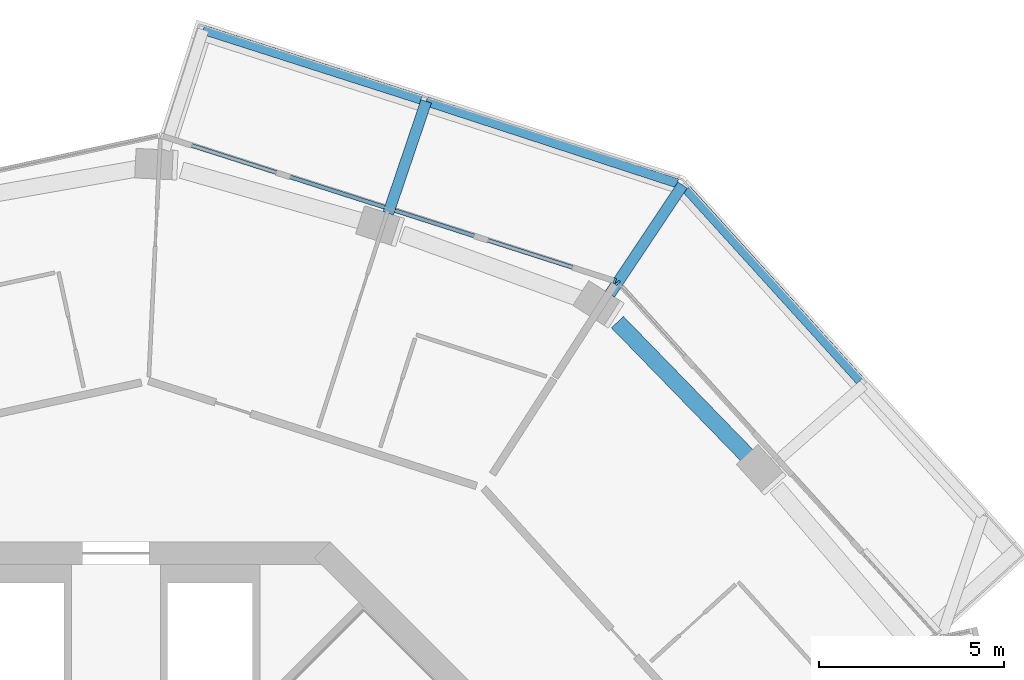
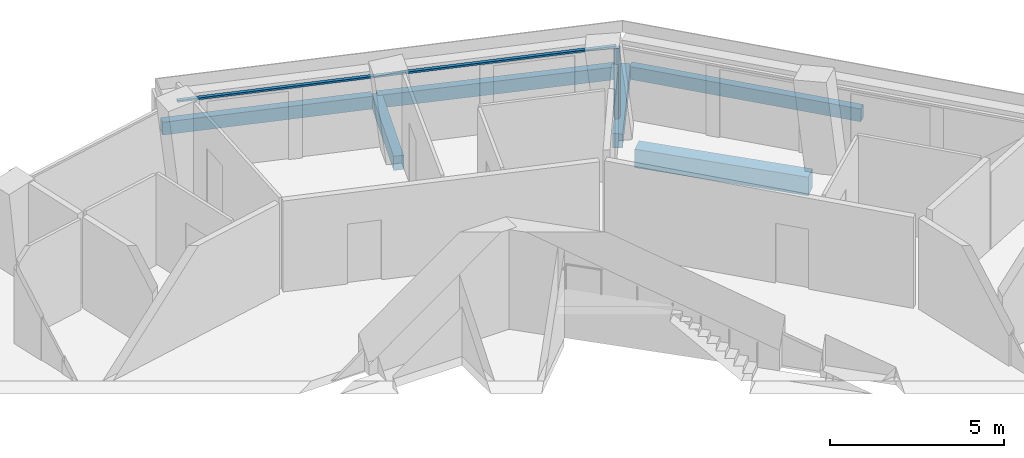
# One storey, part 9 of 23: 6 beams, 3 members, 2 elements without a shape of their own.
"""IFC4 building model written with IfcOpenShell, lengths in metres."""

from ifc_helpers import new_model, si_unit, direction, frame, origin, origin_2d, place, context, subcontext, project, spatial, rectangle, extrude, material, layer, layer_set, material_profile, profile_set, type_object, element, aggregate, save


model = new_model("IFC4")

# Units and contexts
model_context = context("Model", 3, precision=1e-05, world=origin(), true_north=direction((0.0, 1.0)))
body_context = subcontext(model_context, "Body", "Model", "MODEL_VIEW")
ifc_project = project(units=[si_unit("LENGTHUNIT", "METRE"), si_unit("AREAUNIT", "SQUARE_METRE"), si_unit("VOLUMEUNIT", "CUBIC_METRE"), si_unit("PLANEANGLEUNIT", "RADIAN"), si_unit("MASSUNIT", "GRAM", prefix="KILO")], contexts=[model_context])

# Site, building, storey
site_placement = place(None, origin())
site = spatial("IfcSite", under=ifc_project, at=site_placement, CompositionType="ELEMENT")
building_placement = place(site_placement, origin())
building = spatial("IfcBuilding", under=site, at=building_placement, Name="Verdalira Terraces Hotel", CompositionType="ELEMENT")
storey_placement = place(building_placement, frame((0.0, 0.0, 205.5)))
storey = spatial("IfcBuildingStorey", under=building, at=storey_placement, Name="L50", CompositionType="ELEMENT", Elevation=205.5)

# Beams
ifc_material_1 = material(Name="Concrete C40", Category="concrete")
ifc_material_profile_1 = material_profile(ifc_material_1, rectangle(XDim=0.300049, YDim=0.5, at=origin_2d()), Name="RC 300X500")
ifc_profile_set_1 = profile_set([ifc_material_profile_1], Name="Concrete C40")
beam_type_1 = type_object("IfcBeamType", Name="Balcony cantilever beam RC 300X500 C40", PredefinedType="BEAM", material=ifc_profile_set_1)
beam_1_placement = place(storey_placement, frame((13.370361, 20.714355, -0.560059), z_axis=(0.555113159, 0.831774838, 0.0), x_axis=(-0.831774838, 0.555113159, 0.0)))
element("IfcBeam", 1, at=beam_1_placement, inside=storey, type_object=beam_type_1, Name="Balcony cantilever beam R39-3", PredefinedType="BEAM", context=body_context, shape_type="SweptSolid", body=[
    extrude(rectangle(XDim=0.300049, YDim=0.5, at=origin_2d()), origin(), (0.0, 0.0, 1.0), 3.546631),
])
beam_2_placement = place(storey_placement, frame((7.37085, 22.901123, -0.560059), z_axis=(0.320960432, 0.947092604, 0.0), x_axis=(-0.947092604, 0.320960432, 0.0)))
element("IfcBeam", 2, at=beam_2_placement, inside=storey, type_object=beam_type_1, Name="Balcony cantilever beam R39-4", PredefinedType="BEAM", context=body_context, shape_type="SweptSolid", body=[
    extrude(rectangle(XDim=0.300049, YDim=0.5, at=origin_2d()), origin(), (0.0, 0.0, 1.0), 3.200928),
])
ifc_material_2 = material(Name="Concrete C40", Category="concrete")
ifc_material_profile_2 = material_profile(ifc_material_2, rectangle(XDim=0.25, YDim=0.449951, at=origin_2d()), Name="RC 250X450")
ifc_profile_set_2 = profile_set([ifc_material_profile_2], Name="Concrete C40")
beam_type_2 = type_object("IfcBeamType", Name="Balcony edge beam RC 250X450 C40", PredefinedType="BEAM", material=ifc_profile_set_2)
beam_3_placement = place(storey_placement, frame((20.138428, 18.370361, -0.534912), z_axis=(-0.671632667, 0.740884309, 0.0), x_axis=(-0.740884309, -0.671632667, 0.0)))
element("IfcBeam", 3, at=beam_3_placement, inside=storey, type_object=beam_type_2, Name="Balcony edge beam R39-2", PredefinedType="BEAM", context=body_context, shape_type="SweptSolid", body=[
    extrude(rectangle(XDim=0.25, YDim=0.449951, at=origin_2d()), origin(), (0.0, 0.0, 1.0), 6.990967),
])
beam_4_placement = place(storey_placement, frame((15.191162, 23.712891, -0.534912), z_axis=(-0.950538781, 0.310605901, 0.0), x_axis=(-0.310605901, -0.950538781, 0.0)))
element("IfcBeam", 4, at=beam_4_placement, inside=storey, type_object=beam_type_2, Name="Balcony edge beam R39-3", PredefinedType="BEAM", context=body_context, shape_type="SweptSolid", body=[
    extrude(rectangle(XDim=0.25, YDim=0.449951, at=origin_2d()), origin(), (0.0, 0.0, 1.0), 7.146484),
])
beam_5_placement = place(storey_placement, frame((8.255127, 25.978271, -0.534912), z_axis=(-0.952334319, 0.305056299, 0.0), x_axis=(-0.305056299, -0.952334319, 0.0)))
element("IfcBeam", 5, at=beam_5_placement, inside=storey, type_object=beam_type_2, Name="Balcony edge beam R39-4", PredefinedType="BEAM", context=body_context, shape_type="SweptSolid", body=[
    extrude(rectangle(XDim=0.25, YDim=0.449951, at=origin_2d()), origin(), (0.0, 0.0, 1.0), 6.187988),
])

# Curtain wall, member
ifc_material_3 = material(Name="Clear glass", Category="glass")
ifc_layer = layer(ifc_material_3, 0.14990234375)
ifc_layer_set = layer_set([ifc_layer], Name="CW1 curtain wall")
curtain_wall_type = type_object("IfcCurtainWallType", Name="CW1 curtain wall", PredefinedType="NOTDEFINED", material=ifc_layer_set)
curtain_wall_1_placement = place(storey_placement, origin())
curtain_wall_1 = element("IfcCurtainWall", 6, at=curtain_wall_1_placement, inside=storey, type_object=curtain_wall_type, Name="CW1 curtain wall L50 edge 39", PredefinedType="NOTDEFINED")
ifc_material_4 = material(Name="Terracotta frame", Category="masonry")
ifc_material_profile_3 = material_profile(ifc_material_4, rectangle(XDim=0.060059, YDim=0.149902, at=origin_2d()), Name="MU 60x150")
ifc_profile_set_3 = profile_set([ifc_material_profile_3], Name="Terracotta frame")
member_type_1 = type_object("IfcMemberType", Name="CW1 mullion 60x150", PredefinedType="MULLION", material=ifc_profile_set_3)
member_1_placement = place(storey_placement, frame((13.581299, 21.01709, 0.0), z_axis=(0.0, 0.0, 1.0), x_axis=(-0.672237605, 0.740335466, 0.0)))
member_1 = element("IfcMember", 7, at=member_1_placement, type_object=member_type_1, Name="CW1 mullion", PredefinedType="MULLION", context=body_context, shape_type="SweptSolid", body=[
    extrude(rectangle(XDim=0.060059, YDim=0.149902, at=origin_2d()), origin(), (0.0, 0.0, 1.0), 2.475098),
])
aggregate(curtain_wall_1, [member_1])

# Curtain wall, members
curtain_wall_2_placement = place(storey_placement, origin())
curtain_wall_2 = element("IfcCurtainWall", 8, at=curtain_wall_2_placement, inside=storey, type_object=curtain_wall_type, Name="CW1 curtain wall L50 edge 40", PredefinedType="NOTDEFINED")
member_2_placement = place(storey_placement, frame((13.5, 21.06958, 0.0), z_axis=(0.0, 0.0, 1.0), x_axis=(-0.952342576, 0.305030519, 0.0)))
member_2 = element("IfcMember", 9, at=member_2_placement, type_object=member_type_1, Name="CW1 mullion", PredefinedType="MULLION", context=body_context, shape_type="SweptSolid", body=[
    extrude(rectangle(XDim=0.060059, YDim=0.149902, at=origin_2d()), origin(), (0.0, 0.0, 1.0), 2.475098),
])
ifc_material_5 = material(Name="Terracotta frame", Category="masonry")
ifc_material_profile_4 = material_profile(ifc_material_5, rectangle(XDim=0.110107, YDim=0.064941, at=origin_2d()), Name="TR 65x110")
ifc_profile_set_4 = profile_set([ifc_material_profile_4], Name="Terracotta frame")
member_type_2 = type_object("IfcMemberType", Name="CW1 transom 65x110", PredefinedType="USERDEFINED", material=ifc_profile_set_4)
member_3_placement = place(storey_placement, frame((13.528564, 21.060303, 2.507568), z_axis=(-0.952342053, 0.305032153, 0.0), x_axis=(-0.305032153, -0.952342053, 0.0)))
member_3 = element("IfcMember", 10, at=member_3_placement, type_object=member_type_2, Name="CW1 transom", ObjectType="TRANSOM", PredefinedType="USERDEFINED", context=body_context, shape_type="SweptSolid", body=[
    extrude(rectangle(XDim=0.110107, YDim=0.064941, at=origin_2d()), origin(), (0.0, 0.0, 1.0), 12.919678),
])
aggregate(curtain_wall_2, [member_2, member_3])

# Beam
ifc_material_6 = material(Name="Concrete C50", Category="concrete")
ifc_material_profile_5 = material_profile(ifc_material_6, rectangle(XDim=0.449951, YDim=0.649902, at=origin_2d()), Name="RC 450X650")
ifc_profile_set_5 = profile_set([ifc_material_profile_5], Name="Concrete C50")
beam_type_3 = type_object("IfcBeamType", Name="Spandrel beam RC 450X650 C50", PredefinedType="SPANDREL", material=ifc_profile_set_5)
beam_6_placement = place(storey_placement, frame((17.189941, 16.234863, -0.63501), z_axis=(-0.697181847, 0.716894324, 0.0), x_axis=(-0.716894324, -0.697181847, 0.0)))
element("IfcBeam", 11, at=beam_6_placement, inside=storey, type_object=beam_type_3, Name="Spandrel beam B19", PredefinedType="SPANDREL", context=body_context, shape_type="SweptSolid", body=[
    extrude(rectangle(XDim=0.449951, YDim=0.649902, at=origin_2d()), origin(), (0.0, 0.0, 1.0), 5.189453),
])

save(model, "model.ifc")
